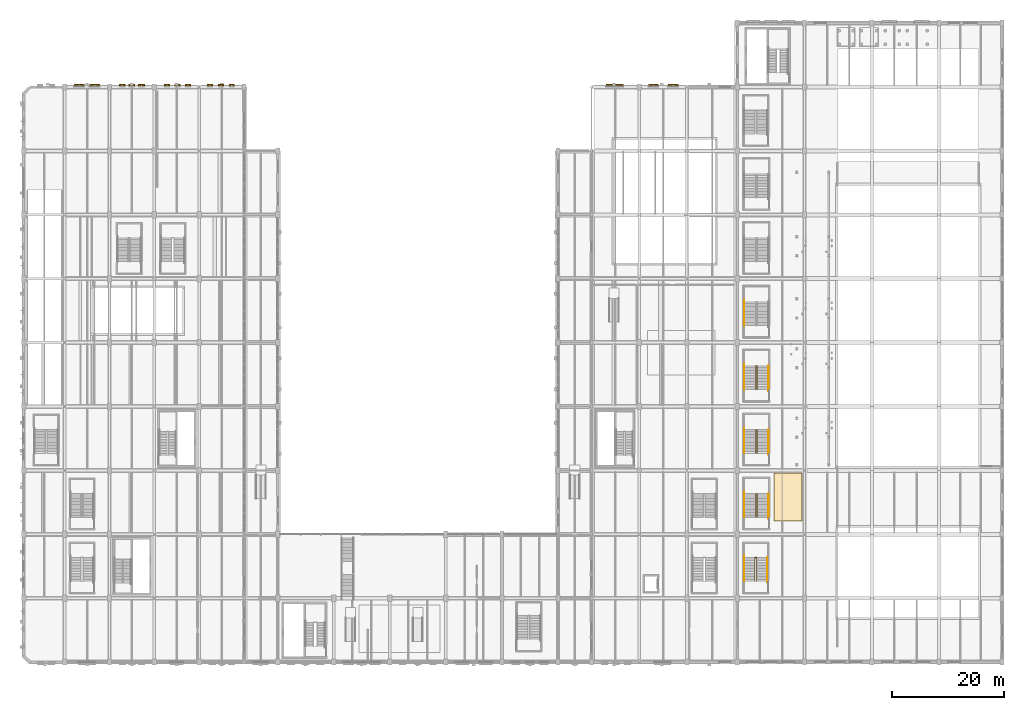
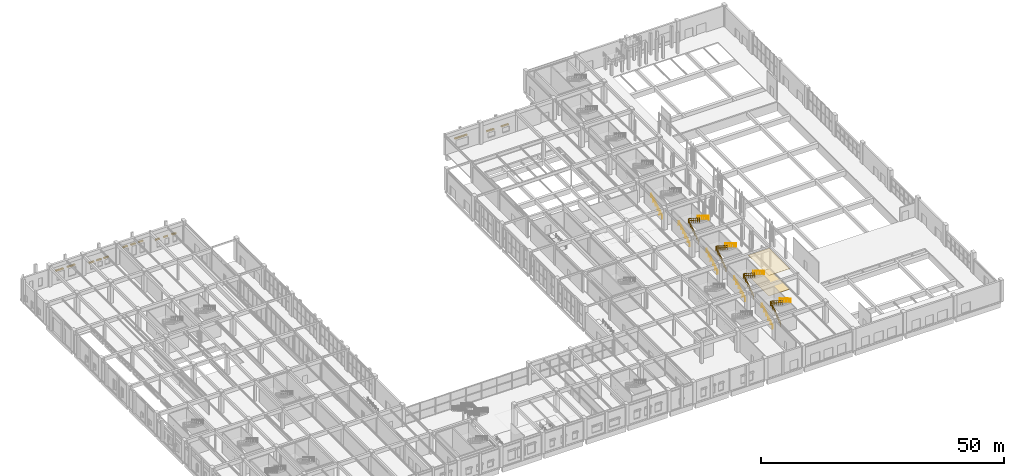
# One storey, part 111 of 113: 14 shading devices, 13 railings, 2 coverings.
"""IFC4 building model written with IfcOpenShell, lengths in metres."""

from ifc_helpers import new_model, si_unit, direction, frame, origin, origin_2d, place, context, subcontext, project, spatial, polyline, rectangle, circle, outline, extrude, material, layer, layer_set, type_object, element, save


model = new_model("IFC4")

# Units and contexts
model_context = context("Model", 3, precision=1e-05, world=origin(), true_north=direction((0.0, 1.0)))
body_context = subcontext(model_context, "Body", "Model", "MODEL_VIEW")
ifc_project = project(units=[si_unit("LENGTHUNIT", "METRE"), si_unit("AREAUNIT", "SQUARE_METRE"), si_unit("VOLUMEUNIT", "CUBIC_METRE"), si_unit("PLANEANGLEUNIT", "RADIAN"), si_unit("MASSUNIT", "GRAM", prefix="KILO"), si_unit("POWERUNIT", "WATT"), si_unit("THERMODYNAMICTEMPERATUREUNIT", "KELVIN")], contexts=[model_context])

# Site, building, storey
site_placement = place(None, origin())
site = spatial("IfcSite", under=ifc_project, at=site_placement, CompositionType="ELEMENT")
building_placement = place(site_placement, origin())
building = spatial("IfcBuilding", under=site, at=building_placement, Name="Kelmbourne Parkland Aquatics Centre", CompositionType="ELEMENT")
storey_placement = place(building_placement, origin())
storey = spatial("IfcBuildingStorey", under=building, at=storey_placement, Name="L00", CompositionType="ELEMENT", Elevation=0.0)

# Coverings
ifc_material_1 = material(Name="Moisture-resistant acoustic mineral-fibre baffle ceiling", Category="gypsum")
ifc_layer_1 = layer(ifc_material_1, 0.02490234375)
ifc_layer_set_1 = layer_set([ifc_layer_1], Name="Moisture-resistant acoustic mineral-fibre baffle ceiling")
covering_type_1 = type_object("IfcCoveringType", Name="COV-CLG-AC", PredefinedType="CEILING", material=ifc_layer_set_1)
covering_1_placement = place(storey_placement, frame((0.0, 0.0, 5.135009765625)))
element("IfcCovering", 1, at=covering_1_placement, inside=storey, type_object=covering_type_1, Name="WetConcourse acoustic ceiling baffles", PredefinedType="CEILING", context=body_context, shape_type="SweptSolid", body=[
    extrude(outline(polyline([(134.5, 26.0), (139.5, 26.0), (139.5, 34.5), (134.5, 34.5), (134.5, 26.0)])), origin(), (0.0, 0.0, 1.0), 0.02490234375),
])
ifc_material_2 = material(Name="Anti-slip vitrified ceramic aquatic deck tile", Category="ceramic")
ifc_layer_2 = layer(ifc_material_2, 0.02001953125)
ifc_layer_set_2 = layer_set([ifc_layer_2], Name="Anti-slip vitrified ceramic aquatic deck tile")
covering_type_2 = type_object("IfcCoveringType", Name="COV-FLR-TILE", PredefinedType="FLOORING", material=ifc_layer_set_2)
covering_2_placement = place(storey_placement, origin())
element("IfcCovering", 2, at=covering_2_placement, inside=storey, type_object=covering_type_2, Name="WetConcourse anti-slip floor tiling", PredefinedType="FLOORING", context=body_context, shape_type="SweptSolid", body=[
    extrude(outline(polyline([(134.5, 26.0), (139.5, 26.0), (139.5, 34.5), (134.5, 34.5), (134.5, 26.0)])), origin(), (0.0, 0.0, 1.0), 0.02001953125),
])

# Railings
ifc_material_3 = material(Name="Grade 316 marine stainless steel", Category="steel")
railing_type_1 = type_object("IfcRailingType", Name="RL-GD-112", PredefinedType="GUARDRAIL", material=ifc_material_3)
railing_1_placement = place(storey_placement, frame((131.1201171875, 15.25, 0.0)))
element("IfcRailing", 3, at=railing_1_placement, inside=storey, type_object=railing_type_1, Name="Main Bowl South Concourse Exit Stair well guardrail", PredefinedType="GUARDRAIL", context=body_context, shape_type="SweptSolid", body=[
    extrude(circle(Radius=0.02392578125, at=origin_2d()), frame((0.0, 0.0, 1.09619140625), z_axis=(0.0, 0.841180064094, 0.540755119968), x_axis=(-1.0, 0.0, 0.0)), (0.0, 0.0, 1.0), 4.992919921875),
    extrude(circle(Radius=0.02392578125, at=origin_2d()), frame((0.0, 0.0, 0.56005859375), z_axis=(0.0, 0.841180064094, 0.540755119968), x_axis=(-1.0, 0.0, 0.0)), (0.0, 0.0, 1.0), 4.992919921875),
    extrude(circle(Radius=0.02392578125, at=origin_2d()), frame((0.0, 4.199951171875, 3.7958984375), z_axis=(1.0, 0.0, 0.0), x_axis=(0.0, 1.0, 0.0)), (0.0, 0.0, 1.0), 0.35986328125),
    extrude(circle(Radius=0.02392578125, at=origin_2d()), frame((0.0, 4.199951171875, 3.260009765625), z_axis=(1.0, 0.0, 0.0), x_axis=(0.0, 1.0, 0.0)), (0.0, 0.0, 1.0), 0.35986328125),
    extrude(circle(Radius=0.02392578125, at=origin_2d()), frame((0.35986328125, 4.199951171875, 3.7958984375), z_axis=(0.0, -0.841180064094, 0.540755119968), x_axis=(1.0, 0.0, 0.0)), (0.0, 0.0, 1.0), 4.992919921875),
    extrude(circle(Radius=0.02392578125, at=origin_2d()), frame((0.35986328125, 4.199951171875, 3.260009765625), z_axis=(0.0, -0.841180064094, 0.540755119968), x_axis=(1.0, 0.0, 0.0)), (0.0, 0.0, 1.0), 4.992919921875),
    extrude(circle(Radius=0.02099609375, at=origin_2d()), origin(), (0.0, 0.0, 1.0), 1.072021484375),
    extrude(circle(Radius=0.02099609375, at=origin_2d()), frame((0.0, 0.840087890625, 0.5400390625)), (0.0, 0.0, 1.0), 1.072021484375),
    extrude(circle(Radius=0.02099609375, at=origin_2d()), frame((0.0, 1.679931640625, 1.080078125)), (0.0, 0.0, 1.0), 1.072021484375),
    extrude(circle(Radius=0.02099609375, at=origin_2d()), frame((0.0, 2.52001953125, 1.619873046875)), (0.0, 0.0, 1.0), 1.072021484375),
    extrude(circle(Radius=0.02099609375, at=origin_2d()), frame((0.0, 3.35986328125, 2.159912109375)), (0.0, 0.0, 1.0), 1.072021484375),
    extrude(circle(Radius=0.02099609375, at=origin_2d()), frame((0.0, 4.199951171875, 2.699951171875)), (0.0, 0.0, 1.0), 1.072021484375),
    extrude(circle(Radius=0.02099609375, at=origin_2d()), frame((0.35986328125, 4.199951171875, 2.699951171875)), (0.0, 0.0, 1.0), 1.072021484375),
    extrude(circle(Radius=0.02099609375, at=origin_2d()), frame((0.35986328125, 3.35986328125, 3.239990234375)), (0.0, 0.0, 1.0), 1.072021484375),
    extrude(circle(Radius=0.02099609375, at=origin_2d()), frame((0.35986328125, 2.52001953125, 3.780029296875)), (0.0, 0.0, 1.0), 1.072021484375),
    extrude(circle(Radius=0.02099609375, at=origin_2d()), frame((0.35986328125, 1.679931640625, 4.31982421875)), (0.0, 0.0, 1.0), 1.072021484375),
    extrude(circle(Radius=0.02099609375, at=origin_2d()), frame((0.35986328125, 0.840087890625, 4.85986328125)), (0.0, 0.0, 1.0), 1.072021484375),
    extrude(circle(Radius=0.02099609375, at=origin_2d()), frame((0.35986328125, 0.0, 5.39990234375)), (0.0, 0.0, 1.0), 1.072021484375),
])
railing_2_placement = place(storey_placement, frame((131.27001953125, 26.64990234375, 0.0)))
element("IfcRailing", 4, at=railing_2_placement, inside=storey, type_object=railing_type_1, Name="Spectator Bowl Exit Stair Bay 3 well guardrail", PredefinedType="GUARDRAIL", context=body_context, shape_type="SweptSolid", body=[
    extrude(circle(Radius=0.02392578125, at=origin_2d()), frame((0.0, 0.0, 1.09619140625), z_axis=(0.0, 0.841194361566, 0.540732878665), x_axis=(-1.0, 0.0, 0.0)), (0.0, 0.0, 1.0), 4.9931640625),
    extrude(circle(Radius=0.02392578125, at=origin_2d()), frame((0.0, 0.0, 0.56005859375), z_axis=(0.0, 0.841194361566, 0.540732878665), x_axis=(-1.0, 0.0, 0.0)), (0.0, 0.0, 1.0), 4.9931640625),
    extrude(circle(Radius=0.02392578125, at=origin_2d()), frame((0.0, 4.2001953125, 3.7958984375), z_axis=(1.0, 0.0, 0.0), x_axis=(0.0, 1.0, 0.0)), (0.0, 0.0, 1.0), 0.260009765625),
    extrude(circle(Radius=0.02392578125, at=origin_2d()), frame((0.0, 4.2001953125, 3.260009765625), z_axis=(1.0, 0.0, 0.0), x_axis=(0.0, 1.0, 0.0)), (0.0, 0.0, 1.0), 0.260009765625),
    extrude(circle(Radius=0.02392578125, at=origin_2d()), frame((0.260009765625, 4.2001953125, 3.7958984375), z_axis=(0.0, -0.841194361566, 0.540732878665), x_axis=(1.0, 0.0, 0.0)), (0.0, 0.0, 1.0), 4.9931640625),
    extrude(circle(Radius=0.02392578125, at=origin_2d()), frame((0.260009765625, 4.2001953125, 3.260009765625), z_axis=(0.0, -0.841194361566, 0.540732878665), x_axis=(1.0, 0.0, 0.0)), (0.0, 0.0, 1.0), 4.9931640625),
    extrude(circle(Radius=0.02099609375, at=origin_2d()), origin(), (0.0, 0.0, 1.0), 1.072021484375),
    extrude(circle(Radius=0.02099609375, at=origin_2d()), frame((0.0, 0.840087890625, 0.5400390625)), (0.0, 0.0, 1.0), 1.072021484375),
    extrude(circle(Radius=0.02099609375, at=origin_2d()), frame((0.0, 1.68017578125, 1.080078125)), (0.0, 0.0, 1.0), 1.072021484375),
    extrude(circle(Radius=0.02099609375, at=origin_2d()), frame((0.0, 2.52001953125, 1.619873046875)), (0.0, 0.0, 1.0), 1.072021484375),
    extrude(circle(Radius=0.02099609375, at=origin_2d()), frame((0.0, 3.360107421875, 2.159912109375)), (0.0, 0.0, 1.0), 1.072021484375),
    extrude(circle(Radius=0.02099609375, at=origin_2d()), frame((0.0, 4.2001953125, 2.699951171875)), (0.0, 0.0, 1.0), 1.072021484375),
    extrude(circle(Radius=0.02099609375, at=origin_2d()), frame((0.260009765625, 4.2001953125, 2.699951171875)), (0.0, 0.0, 1.0), 1.072021484375),
    extrude(circle(Radius=0.02099609375, at=origin_2d()), frame((0.260009765625, 3.360107421875, 3.239990234375)), (0.0, 0.0, 1.0), 1.072021484375),
    extrude(circle(Radius=0.02099609375, at=origin_2d()), frame((0.260009765625, 2.52001953125, 3.780029296875)), (0.0, 0.0, 1.0), 1.072021484375),
    extrude(circle(Radius=0.02099609375, at=origin_2d()), frame((0.260009765625, 1.68017578125, 4.31982421875)), (0.0, 0.0, 1.0), 1.072021484375),
    extrude(circle(Radius=0.02099609375, at=origin_2d()), frame((0.260009765625, 0.840087890625, 4.85986328125)), (0.0, 0.0, 1.0), 1.072021484375),
    extrude(circle(Radius=0.02099609375, at=origin_2d()), frame((0.260009765625, 0.0, 5.39990234375)), (0.0, 0.0, 1.0), 1.072021484375),
])
railing_3_placement = place(storey_placement, frame((131.27001953125, 38.050048828125, 0.0)))
element("IfcRailing", 5, at=railing_3_placement, inside=storey, type_object=railing_type_1, Name="Spectator Bowl Exit Stair Bay 4 well guardrail", PredefinedType="GUARDRAIL", context=body_context, shape_type="SweptSolid", body=[
    extrude(circle(Radius=0.02392578125, at=origin_2d()), frame((0.0, 0.0, 1.09619140625), z_axis=(0.0, 0.841180064094, 0.540755119968), x_axis=(-1.0, 0.0, 0.0)), (0.0, 0.0, 1.0), 4.992919921875),
    extrude(circle(Radius=0.02392578125, at=origin_2d()), frame((0.0, 0.0, 0.56005859375), z_axis=(0.0, 0.841180064094, 0.540755119968), x_axis=(-1.0, 0.0, 0.0)), (0.0, 0.0, 1.0), 4.992919921875),
    extrude(circle(Radius=0.02392578125, at=origin_2d()), frame((0.0, 4.199951171875, 3.7958984375), z_axis=(1.0, 0.0, 0.0), x_axis=(0.0, 1.0, 0.0)), (0.0, 0.0, 1.0), 0.260009765625),
    extrude(circle(Radius=0.02392578125, at=origin_2d()), frame((0.0, 4.199951171875, 3.260009765625), z_axis=(1.0, 0.0, 0.0), x_axis=(0.0, 1.0, 0.0)), (0.0, 0.0, 1.0), 0.260009765625),
    extrude(circle(Radius=0.02392578125, at=origin_2d()), frame((0.260009765625, 4.199951171875, 3.7958984375), z_axis=(0.0, -0.841180064094, 0.540755119968), x_axis=(1.0, 0.0, 0.0)), (0.0, 0.0, 1.0), 4.992919921875),
    extrude(circle(Radius=0.02392578125, at=origin_2d()), frame((0.260009765625, 4.199951171875, 3.260009765625), z_axis=(0.0, -0.841180064094, 0.540755119968), x_axis=(1.0, 0.0, 0.0)), (0.0, 0.0, 1.0), 4.992919921875),
    extrude(circle(Radius=0.02099609375, at=origin_2d()), origin(), (0.0, 0.0, 1.0), 1.072021484375),
    extrude(circle(Radius=0.02099609375, at=origin_2d()), frame((0.0, 0.840087890625, 0.5400390625)), (0.0, 0.0, 1.0), 1.072021484375),
    extrude(circle(Radius=0.02099609375, at=origin_2d()), frame((0.0, 1.679931640625, 1.080078125)), (0.0, 0.0, 1.0), 1.072021484375),
    extrude(circle(Radius=0.02099609375, at=origin_2d()), frame((0.0, 2.52001953125, 1.619873046875)), (0.0, 0.0, 1.0), 1.072021484375),
    extrude(circle(Radius=0.02099609375, at=origin_2d()), frame((0.0, 3.35986328125, 2.159912109375)), (0.0, 0.0, 1.0), 1.072021484375),
    extrude(circle(Radius=0.02099609375, at=origin_2d()), frame((0.0, 4.199951171875, 2.699951171875)), (0.0, 0.0, 1.0), 1.072021484375),
    extrude(circle(Radius=0.02099609375, at=origin_2d()), frame((0.260009765625, 4.199951171875, 2.699951171875)), (0.0, 0.0, 1.0), 1.072021484375),
    extrude(circle(Radius=0.02099609375, at=origin_2d()), frame((0.260009765625, 3.35986328125, 3.239990234375)), (0.0, 0.0, 1.0), 1.072021484375),
    extrude(circle(Radius=0.02099609375, at=origin_2d()), frame((0.260009765625, 2.52001953125, 3.780029296875)), (0.0, 0.0, 1.0), 1.072021484375),
    extrude(circle(Radius=0.02099609375, at=origin_2d()), frame((0.260009765625, 1.679931640625, 4.31982421875)), (0.0, 0.0, 1.0), 1.072021484375),
    extrude(circle(Radius=0.02099609375, at=origin_2d()), frame((0.260009765625, 0.840087890625, 4.85986328125)), (0.0, 0.0, 1.0), 1.072021484375),
    extrude(circle(Radius=0.02099609375, at=origin_2d()), frame((0.260009765625, 0.0, 5.39990234375)), (0.0, 0.0, 1.0), 1.072021484375),
])
railing_4_placement = place(storey_placement, frame((131.27001953125, 49.449951171875, 0.0)))
element("IfcRailing", 6, at=railing_4_placement, inside=storey, type_object=railing_type_1, Name="Spectator Bowl Exit Stair Bay 5 well guardrail", PredefinedType="GUARDRAIL", context=body_context, shape_type="SweptSolid", body=[
    extrude(circle(Radius=0.02392578125, at=origin_2d()), frame((0.0, 0.0, 1.09619140625), z_axis=(0.0, 0.841180064094, 0.540755119968), x_axis=(-1.0, 0.0, 0.0)), (0.0, 0.0, 1.0), 4.992919921875),
    extrude(circle(Radius=0.02392578125, at=origin_2d()), frame((0.0, 0.0, 0.56005859375), z_axis=(0.0, 0.841180064094, 0.540755119968), x_axis=(-1.0, 0.0, 0.0)), (0.0, 0.0, 1.0), 4.992919921875),
    extrude(circle(Radius=0.02392578125, at=origin_2d()), frame((0.0, 4.199951171875, 3.7958984375), z_axis=(1.0, 0.0, 0.0), x_axis=(0.0, 1.0, 0.0)), (0.0, 0.0, 1.0), 0.260009765625),
    extrude(circle(Radius=0.02392578125, at=origin_2d()), frame((0.0, 4.199951171875, 3.260009765625), z_axis=(1.0, 0.0, 0.0), x_axis=(0.0, 1.0, 0.0)), (0.0, 0.0, 1.0), 0.260009765625),
    extrude(circle(Radius=0.02392578125, at=origin_2d()), frame((0.260009765625, 4.199951171875, 3.7958984375), z_axis=(0.0, -0.841180064094, 0.540755119968), x_axis=(1.0, 0.0, 0.0)), (0.0, 0.0, 1.0), 4.992919921875),
    extrude(circle(Radius=0.02392578125, at=origin_2d()), frame((0.260009765625, 4.199951171875, 3.260009765625), z_axis=(0.0, -0.841180064094, 0.540755119968), x_axis=(1.0, 0.0, 0.0)), (0.0, 0.0, 1.0), 4.992919921875),
    extrude(circle(Radius=0.02099609375, at=origin_2d()), origin(), (0.0, 0.0, 1.0), 1.072021484375),
    extrude(circle(Radius=0.02099609375, at=origin_2d()), frame((0.0, 0.840087890625, 0.5400390625)), (0.0, 0.0, 1.0), 1.072021484375),
    extrude(circle(Radius=0.02099609375, at=origin_2d()), frame((0.0, 1.679931640625, 1.080078125)), (0.0, 0.0, 1.0), 1.072021484375),
    extrude(circle(Radius=0.02099609375, at=origin_2d()), frame((0.0, 2.52001953125, 1.619873046875)), (0.0, 0.0, 1.0), 1.072021484375),
    extrude(circle(Radius=0.02099609375, at=origin_2d()), frame((0.0, 3.35986328125, 2.159912109375)), (0.0, 0.0, 1.0), 1.072021484375),
    extrude(circle(Radius=0.02099609375, at=origin_2d()), frame((0.0, 4.199951171875, 2.699951171875)), (0.0, 0.0, 1.0), 1.072021484375),
    extrude(circle(Radius=0.02099609375, at=origin_2d()), frame((0.260009765625, 4.199951171875, 2.699951171875)), (0.0, 0.0, 1.0), 1.072021484375),
    extrude(circle(Radius=0.02099609375, at=origin_2d()), frame((0.260009765625, 3.35986328125, 3.239990234375)), (0.0, 0.0, 1.0), 1.072021484375),
    extrude(circle(Radius=0.02099609375, at=origin_2d()), frame((0.260009765625, 2.52001953125, 3.780029296875)), (0.0, 0.0, 1.0), 1.072021484375),
    extrude(circle(Radius=0.02099609375, at=origin_2d()), frame((0.260009765625, 1.679931640625, 4.31982421875)), (0.0, 0.0, 1.0), 1.072021484375),
    extrude(circle(Radius=0.02099609375, at=origin_2d()), frame((0.260009765625, 0.840087890625, 4.85986328125)), (0.0, 0.0, 1.0), 1.072021484375),
    extrude(circle(Radius=0.02099609375, at=origin_2d()), frame((0.260009765625, 0.0, 5.39990234375)), (0.0, 0.0, 1.0), 1.072021484375),
])
railing_type_2 = type_object("IfcRailingType", Name="RL-HR-92", PredefinedType="HANDRAIL", material=ifc_material_3)
railing_5_placement = place(storey_placement, frame((129.239990234375, 15.25, 0.168701171875)))
element("IfcRailing", 7, at=railing_5_placement, inside=storey, type_object=railing_type_2, Name="Main Bowl South Concourse Exit Stair F1 handrail", PredefinedType="HANDRAIL", context=body_context, shape_type="SweptSolid", body=[
    extrude(circle(Radius=0.02392578125, at=origin_2d()), frame((0.0, 0.0, 0.89599609375), z_axis=(0.0, 0.856461642802, 0.516210668632), x_axis=(-1.0, 0.0, 0.0)), (0.0, 0.0, 1.0), 5.230712890625),
    extrude(circle(Radius=0.02099609375, at=origin_2d()), origin(), (0.0, 0.0, 1.0), 0.871826171875),
    extrude(circle(Radius=0.02099609375, at=origin_2d()), frame((0.0, 0.89599609375, 0.5400390625)), (0.0, 0.0, 1.0), 0.871826171875),
    extrude(circle(Radius=0.02099609375, at=origin_2d()), frame((0.0, 1.7919921875, 1.080078125)), (0.0, 0.0, 1.0), 0.871826171875),
    extrude(circle(Radius=0.02099609375, at=origin_2d()), frame((0.0, 2.68798828125, 1.6201171875)), (0.0, 0.0, 1.0), 0.871826171875),
    extrude(circle(Radius=0.02099609375, at=origin_2d()), frame((0.0, 3.583984375, 2.16015625)), (0.0, 0.0, 1.0), 0.871826171875),
    extrude(circle(Radius=0.02099609375, at=origin_2d()), frame((0.0, 4.47998046875, 2.7001953125)), (0.0, 0.0, 1.0), 0.871826171875),
])
railing_6_placement = place(storey_placement, frame((133.360107421875, 19.449951171875, 2.868896484375)))
element("IfcRailing", 8, at=railing_6_placement, inside=storey, type_object=railing_type_2, Name="Main Bowl South Concourse Exit Stair F2 handrail", PredefinedType="HANDRAIL", context=body_context, shape_type="SweptSolid", body=[
    extrude(circle(Radius=0.02392578125, at=origin_2d()), frame((0.0, 0.0, 0.89599609375), z_axis=(0.0, -0.856482277723, 0.516176431026), x_axis=(1.0, 0.0, 0.0)), (0.0, 0.0, 1.0), 5.230712890625),
    extrude(circle(Radius=0.02099609375, at=origin_2d()), origin(), (0.0, 0.0, 1.0), 0.871826171875),
    extrude(circle(Radius=0.02099609375, at=origin_2d()), frame((0.0, -0.89599609375, 0.5400390625)), (0.0, 0.0, 1.0), 0.871826171875),
    extrude(circle(Radius=0.02099609375, at=origin_2d()), frame((0.0, -1.7919921875, 1.080078125)), (0.0, 0.0, 1.0), 0.871826171875),
    extrude(circle(Radius=0.02099609375, at=origin_2d()), frame((0.0, -2.68798828125, 1.619873046875)), (0.0, 0.0, 1.0), 0.871826171875),
    extrude(circle(Radius=0.02099609375, at=origin_2d()), frame((0.0, -3.583984375, 2.159912109375)), (0.0, 0.0, 1.0), 0.871826171875),
    extrude(circle(Radius=0.02099609375, at=origin_2d()), frame((0.0, -4.47998046875, 2.699951171875)), (0.0, 0.0, 1.0), 0.871826171875),
])
railing_7_placement = place(storey_placement, frame((129.239990234375, 26.64990234375, 0.168701171875)))
element("IfcRailing", 9, at=railing_7_placement, inside=storey, type_object=railing_type_2, Name="Spectator Bowl Exit Stair Bay 3 F1 handrail", PredefinedType="HANDRAIL", context=body_context, shape_type="SweptSolid", body=[
    extrude(circle(Radius=0.02392578125, at=origin_2d()), frame((0.0, 0.0, 0.89599609375), z_axis=(0.0, 0.856461642802, 0.516210668632), x_axis=(-1.0, 0.0, 0.0)), (0.0, 0.0, 1.0), 5.230712890625),
    extrude(circle(Radius=0.02099609375, at=origin_2d()), origin(), (0.0, 0.0, 1.0), 0.871826171875),
    extrude(circle(Radius=0.02099609375, at=origin_2d()), frame((0.0, 0.89599609375, 0.5400390625)), (0.0, 0.0, 1.0), 0.871826171875),
    extrude(circle(Radius=0.02099609375, at=origin_2d()), frame((0.0, 1.7919921875, 1.080078125)), (0.0, 0.0, 1.0), 0.871826171875),
    extrude(circle(Radius=0.02099609375, at=origin_2d()), frame((0.0, 2.68798828125, 1.6201171875)), (0.0, 0.0, 1.0), 0.871826171875),
    extrude(circle(Radius=0.02099609375, at=origin_2d()), frame((0.0, 3.583984375, 2.16015625)), (0.0, 0.0, 1.0), 0.871826171875),
    extrude(circle(Radius=0.02099609375, at=origin_2d()), frame((0.0, 4.47998046875, 2.7001953125)), (0.0, 0.0, 1.0), 0.871826171875),
])
railing_8_placement = place(storey_placement, frame((133.56005859375, 30.85009765625, 2.868896484375)))
element("IfcRailing", 10, at=railing_8_placement, inside=storey, type_object=railing_type_2, Name="Spectator Bowl Exit Stair Bay 3 F2 handrail", PredefinedType="HANDRAIL", context=body_context, shape_type="SweptSolid", body=[
    extrude(circle(Radius=0.02392578125, at=origin_2d()), frame((0.0, 0.0, 0.89599609375), z_axis=(0.0, -0.856482277723, 0.516176431026), x_axis=(1.0, 0.0, 0.0)), (0.0, 0.0, 1.0), 5.230712890625),
    extrude(circle(Radius=0.02099609375, at=origin_2d()), origin(), (0.0, 0.0, 1.0), 0.871826171875),
    extrude(circle(Radius=0.02099609375, at=origin_2d()), frame((0.0, -0.89599609375, 0.5400390625)), (0.0, 0.0, 1.0), 0.871826171875),
    extrude(circle(Radius=0.02099609375, at=origin_2d()), frame((0.0, -1.7919921875, 1.080078125)), (0.0, 0.0, 1.0), 0.871826171875),
    extrude(circle(Radius=0.02099609375, at=origin_2d()), frame((0.0, -2.68798828125, 1.619873046875)), (0.0, 0.0, 1.0), 0.871826171875),
    extrude(circle(Radius=0.02099609375, at=origin_2d()), frame((0.0, -3.583984375, 2.159912109375)), (0.0, 0.0, 1.0), 0.871826171875),
    extrude(circle(Radius=0.02099609375, at=origin_2d()), frame((0.0, -4.47998046875, 2.699951171875)), (0.0, 0.0, 1.0), 0.871826171875),
])
railing_9_placement = place(storey_placement, frame((129.239990234375, 38.050048828125, 0.168701171875)))
element("IfcRailing", 11, at=railing_9_placement, inside=storey, type_object=railing_type_2, Name="Spectator Bowl Exit Stair Bay 4 F1 handrail", PredefinedType="HANDRAIL", context=body_context, shape_type="SweptSolid", body=[
    extrude(circle(Radius=0.02392578125, at=origin_2d()), frame((0.0, 0.0, 0.89599609375), z_axis=(0.0, 0.856461642802, 0.516210668632), x_axis=(-1.0, 0.0, 0.0)), (0.0, 0.0, 1.0), 5.230712890625),
    extrude(circle(Radius=0.02099609375, at=origin_2d()), origin(), (0.0, 0.0, 1.0), 0.871826171875),
    extrude(circle(Radius=0.02099609375, at=origin_2d()), frame((0.0, 0.89599609375, 0.5400390625)), (0.0, 0.0, 1.0), 0.871826171875),
    extrude(circle(Radius=0.02099609375, at=origin_2d()), frame((0.0, 1.7919921875, 1.080078125)), (0.0, 0.0, 1.0), 0.871826171875),
    extrude(circle(Radius=0.02099609375, at=origin_2d()), frame((0.0, 2.68798828125, 1.6201171875)), (0.0, 0.0, 1.0), 0.871826171875),
    extrude(circle(Radius=0.02099609375, at=origin_2d()), frame((0.0, 3.583984375, 2.16015625)), (0.0, 0.0, 1.0), 0.871826171875),
    extrude(circle(Radius=0.02099609375, at=origin_2d()), frame((0.0, 4.47998046875, 2.7001953125)), (0.0, 0.0, 1.0), 0.871826171875),
])
railing_10_placement = place(storey_placement, frame((133.56005859375, 42.25, 2.868896484375)))
element("IfcRailing", 12, at=railing_10_placement, inside=storey, type_object=railing_type_2, Name="Spectator Bowl Exit Stair Bay 4 F2 handrail", PredefinedType="HANDRAIL", context=body_context, shape_type="SweptSolid", body=[
    extrude(circle(Radius=0.02392578125, at=origin_2d()), frame((0.0, 0.0, 0.89599609375), z_axis=(0.0, -0.856482277723, 0.516176431026), x_axis=(1.0, 0.0, 0.0)), (0.0, 0.0, 1.0), 5.230712890625),
    extrude(circle(Radius=0.02099609375, at=origin_2d()), origin(), (0.0, 0.0, 1.0), 0.871826171875),
    extrude(circle(Radius=0.02099609375, at=origin_2d()), frame((0.0, -0.89599609375, 0.5400390625)), (0.0, 0.0, 1.0), 0.871826171875),
    extrude(circle(Radius=0.02099609375, at=origin_2d()), frame((0.0, -1.7919921875, 1.080078125)), (0.0, 0.0, 1.0), 0.871826171875),
    extrude(circle(Radius=0.02099609375, at=origin_2d()), frame((0.0, -2.68798828125, 1.619873046875)), (0.0, 0.0, 1.0), 0.871826171875),
    extrude(circle(Radius=0.02099609375, at=origin_2d()), frame((0.0, -3.583984375, 2.159912109375)), (0.0, 0.0, 1.0), 0.871826171875),
    extrude(circle(Radius=0.02099609375, at=origin_2d()), frame((0.0, -4.47998046875, 2.699951171875)), (0.0, 0.0, 1.0), 0.871826171875),
])
railing_11_placement = place(storey_placement, frame((129.239990234375, 49.449951171875, 0.168701171875)))
element("IfcRailing", 13, at=railing_11_placement, inside=storey, type_object=railing_type_2, Name="Spectator Bowl Exit Stair Bay 5 F1 handrail", PredefinedType="HANDRAIL", context=body_context, shape_type="SweptSolid", body=[
    extrude(circle(Radius=0.02392578125, at=origin_2d()), frame((0.0, 0.0, 0.89599609375), z_axis=(0.0, 0.856461642802, 0.516210668632), x_axis=(-1.0, 0.0, 0.0)), (0.0, 0.0, 1.0), 5.230712890625),
    extrude(circle(Radius=0.02099609375, at=origin_2d()), origin(), (0.0, 0.0, 1.0), 0.871826171875),
    extrude(circle(Radius=0.02099609375, at=origin_2d()), frame((0.0, 0.89599609375, 0.5400390625)), (0.0, 0.0, 1.0), 0.871826171875),
    extrude(circle(Radius=0.02099609375, at=origin_2d()), frame((0.0, 1.7919921875, 1.080078125)), (0.0, 0.0, 1.0), 0.871826171875),
    extrude(circle(Radius=0.02099609375, at=origin_2d()), frame((0.0, 2.68798828125, 1.6201171875)), (0.0, 0.0, 1.0), 0.871826171875),
    extrude(circle(Radius=0.02099609375, at=origin_2d()), frame((0.0, 3.583984375, 2.16015625)), (0.0, 0.0, 1.0), 0.871826171875),
    extrude(circle(Radius=0.02099609375, at=origin_2d()), frame((0.0, 4.47998046875, 2.7001953125)), (0.0, 0.0, 1.0), 0.871826171875),
])
railing_12_placement = place(storey_placement, frame((133.56005859375, 53.64990234375, 2.868896484375)))
element("IfcRailing", 14, at=railing_12_placement, inside=storey, type_object=railing_type_2, Name="Spectator Bowl Exit Stair Bay 5 F2 handrail", PredefinedType="HANDRAIL", context=body_context, shape_type="SweptSolid", body=[
    extrude(circle(Radius=0.02392578125, at=origin_2d()), frame((0.0, 0.0, 0.89599609375), z_axis=(0.0, -0.856482277723, 0.516176431026), x_axis=(1.0, 0.0, 0.0)), (0.0, 0.0, 1.0), 5.230712890625),
    extrude(circle(Radius=0.02099609375, at=origin_2d()), origin(), (0.0, 0.0, 1.0), 0.871826171875),
    extrude(circle(Radius=0.02099609375, at=origin_2d()), frame((0.0, -0.89599609375, 0.5400390625)), (0.0, 0.0, 1.0), 0.871826171875),
    extrude(circle(Radius=0.02099609375, at=origin_2d()), frame((0.0, -1.7919921875, 1.080078125)), (0.0, 0.0, 1.0), 0.871826171875),
    extrude(circle(Radius=0.02099609375, at=origin_2d()), frame((0.0, -2.68798828125, 1.619873046875)), (0.0, 0.0, 1.0), 0.871826171875),
    extrude(circle(Radius=0.02099609375, at=origin_2d()), frame((0.0, -3.583984375, 2.159912109375)), (0.0, 0.0, 1.0), 0.871826171875),
    extrude(circle(Radius=0.02099609375, at=origin_2d()), frame((0.0, -4.47998046875, 2.699951171875)), (0.0, 0.0, 1.0), 0.871826171875),
])
railing_13_placement = place(storey_placement, frame((129.239990234375, 60.85009765625, 0.168701171875)))
element("IfcRailing", 15, at=railing_13_placement, inside=storey, type_object=railing_type_2, Name="Spectator Bowl Exit Stair Bay 6 F1 handrail", PredefinedType="HANDRAIL", context=body_context, shape_type="SweptSolid", body=[
    extrude(circle(Radius=0.02392578125, at=origin_2d()), frame((0.0, 0.0, 0.89599609375), z_axis=(0.0, 0.856461642802, 0.516210668632), x_axis=(-1.0, 0.0, 0.0)), (0.0, 0.0, 1.0), 5.230712890625),
    extrude(circle(Radius=0.02099609375, at=origin_2d()), origin(), (0.0, 0.0, 1.0), 0.871826171875),
    extrude(circle(Radius=0.02099609375, at=origin_2d()), frame((0.0, 0.89599609375, 0.5400390625)), (0.0, 0.0, 1.0), 0.871826171875),
    extrude(circle(Radius=0.02099609375, at=origin_2d()), frame((0.0, 1.7919921875, 1.080078125)), (0.0, 0.0, 1.0), 0.871826171875),
    extrude(circle(Radius=0.02099609375, at=origin_2d()), frame((0.0, 2.68798828125, 1.6201171875)), (0.0, 0.0, 1.0), 0.871826171875),
    extrude(circle(Radius=0.02099609375, at=origin_2d()), frame((0.0, 3.583984375, 2.16015625)), (0.0, 0.0, 1.0), 0.871826171875),
    extrude(circle(Radius=0.02099609375, at=origin_2d()), frame((0.0, 4.47998046875, 2.7001953125)), (0.0, 0.0, 1.0), 0.871826171875),
])

# Shading devices
ifc_material_4 = material(Name="Architectural extruded terracotta baguettes", Category="masonry")
shading_device_type = type_object("IfcShadingDeviceType", Name="SHD-JAL-1", PredefinedType="JALOUSIE", material=ifc_material_4)
for number, where, z_axis, x_axis, name in (
    (16, (10.626953125, 103.7548828125, 2.7998046875), (0.0, 0.0, 1.0), (1.0, 0.0, 0.0), "Terracotta horizontal jalousie hood 034"),
    (17, (13.373046875, 103.7548828125, 2.7998046875), (0.0, 0.0, 1.0), (1.0, 0.0, 0.0), "Terracotta horizontal jalousie hood 035"),
):
    element("IfcShadingDevice", number, at=place(storey_placement, frame(where, z_axis=z_axis, x_axis=x_axis)), inside=storey, type_object=shading_device_type, Name=name, PredefinedType="JALOUSIE", context=body_context, shape_type="SweptSolid", body=[
        extrude(rectangle(XDim=1.800048828125, YDim=0.300048828125, at=origin_2d()), origin(), (0.0, 0.0, 1.0), 0.239990234375),
    ])
for number, where, z_axis, x_axis, name in (
    (18, (18.277099609375, 103.7548828125, 2.0), (0.0, 0.0, 1.0), (1.0, 0.0, 0.0), "Terracotta horizontal jalousie hood 036"),
    (19, (20.0, 103.7548828125, 2.0), (0.0, 0.0, 1.0), (1.0, 0.0, 0.0), "Terracotta horizontal jalousie hood 037"),
    (20, (21.722900390625, 103.7548828125, 2.0), (0.0, 0.0, 1.0), (1.0, 0.0, 0.0), "Terracotta horizontal jalousie hood 038"),
):
    element("IfcShadingDevice", number, at=place(storey_placement, frame(where, z_axis=z_axis, x_axis=x_axis)), inside=storey, type_object=shading_device_type, Name=name, PredefinedType="JALOUSIE", context=body_context, shape_type="SweptSolid", body=[
        extrude(rectangle(XDim=1.10009765625, YDim=0.300048828125, at=origin_2d()), origin(), (0.0, 0.0, 1.0), 0.239990234375),
    ])
for number, where, z_axis, x_axis, name in (
    (21, (26.251953125, 103.7548828125, 3.10009765625), (0.0, 0.0, 1.0), (1.0, 0.0, 0.0), "Terracotta horizontal jalousie hood 039"),
    (22, (28.125, 103.7548828125, 3.10009765625), (0.0, 0.0, 1.0), (1.0, 0.0, 0.0), "Terracotta horizontal jalousie hood 040"),
    (23, (29.998046875, 103.7548828125, 3.10009765625), (0.0, 0.0, 1.0), (1.0, 0.0, 0.0), "Terracotta horizontal jalousie hood 041"),
):
    element("IfcShadingDevice", number, at=place(storey_placement, frame(where, z_axis=z_axis, x_axis=x_axis)), inside=storey, type_object=shading_device_type, Name=name, PredefinedType="JALOUSIE", context=body_context, shape_type="SweptSolid", body=[
        extrude(rectangle(XDim=1.050048828125, YDim=0.300048828125, at=origin_2d()), origin(), (0.0, 0.0, 1.0), 0.239990234375),
    ])
for number, where, z_axis, x_axis, name in (
    (24, (33.951904296875, 103.7548828125, 2.2998046875), (0.0, 0.0, 1.0), (1.0, 0.0, 0.0), "Terracotta horizontal jalousie hood 042"),
    (25, (35.875, 103.7548828125, 2.2998046875), (0.0, 0.0, 1.0), (1.0, 0.0, 0.0), "Terracotta horizontal jalousie hood 043"),
    (26, (37.798095703125, 103.7548828125, 2.2998046875), (0.0, 0.0, 1.0), (1.0, 0.0, 0.0), "Terracotta horizontal jalousie hood 044"),
):
    element("IfcShadingDevice", number, at=place(storey_placement, frame(where, z_axis=z_axis, x_axis=x_axis)), inside=storey, type_object=shading_device_type, Name=name, PredefinedType="JALOUSIE", context=body_context, shape_type="SweptSolid", body=[
        extrude(rectangle(XDim=0.949951171875, YDim=0.300048828125, at=origin_2d()), origin(), (0.0, 0.0, 1.0), 0.239990234375),
    ])
shading_device_placement = place(storey_placement, frame((106.137451171875, 103.7548828125, 2.7998046875), z_axis=(0.0, 0.0, 1.0), x_axis=(1.0, 0.0, 0.0)))
element("IfcShadingDevice", 27, at=shading_device_placement, inside=storey, type_object=shading_device_type, Name="Terracotta horizontal jalousie hood 065", PredefinedType="JALOUSIE", context=body_context, shape_type="SweptSolid", body=[
    extrude(rectangle(XDim=2.949951171875, YDim=0.300048828125, at=origin_2d()), origin(), (0.0, 0.0, 1.0), 0.239990234375),
])
for number, where, z_axis, x_axis, name in (
    (28, (113.076904296875, 103.7548828125, 2.0), (0.0, 0.0, 1.0), (1.0, 0.0, 0.0), "Terracotta horizontal jalousie hood 066"),
    (29, (116.572998046875, 103.7548828125, 2.0), (0.0, 0.0, 1.0), (1.0, 0.0, 0.0), "Terracotta horizontal jalousie hood 067"),
):
    element("IfcShadingDevice", number, at=place(storey_placement, frame(where, z_axis=z_axis, x_axis=x_axis)), inside=storey, type_object=shading_device_type, Name=name, PredefinedType="JALOUSIE", context=body_context, shape_type="SweptSolid", body=[
        extrude(rectangle(XDim=1.699951171875, YDim=0.300048828125, at=origin_2d()), origin(), (0.0, 0.0, 1.0), 0.239990234375),
    ])

save(model, "model.ifc")
